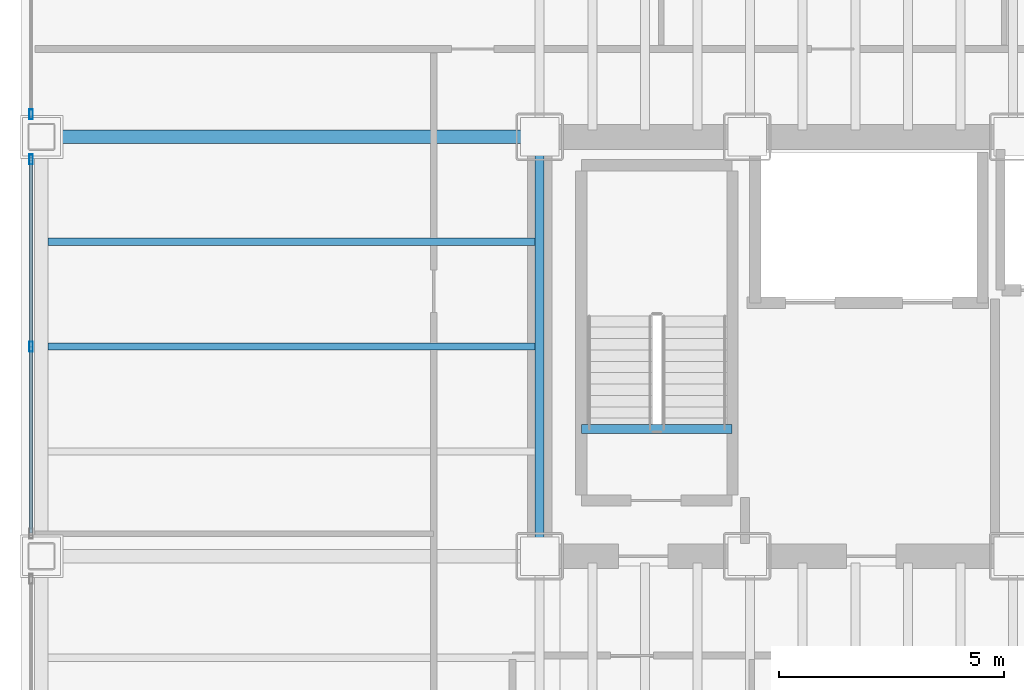
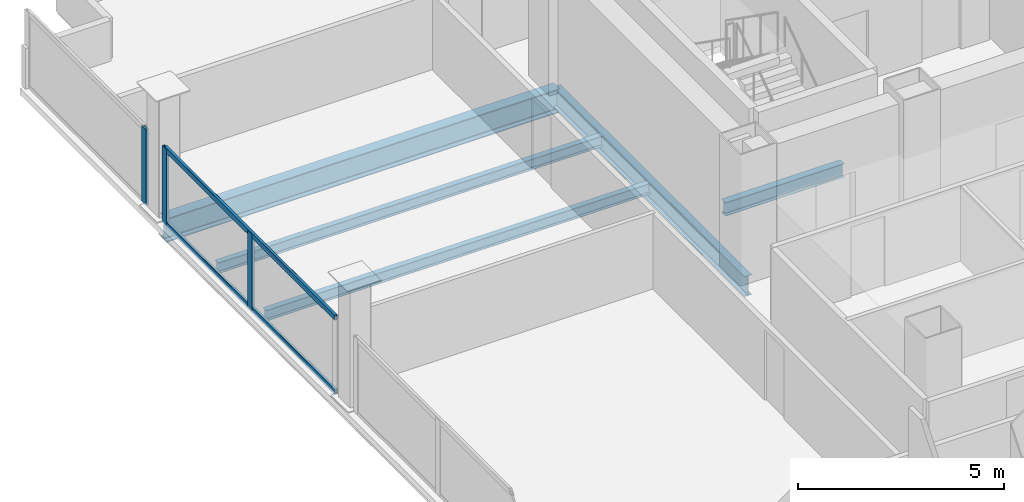
# One storey, part 6 of 21: 5 beams, 5 members, 2 elements without a shape of their own.
"""IFC4 building model written with IfcOpenShell, lengths in metres."""

from ifc_helpers import new_model, si_unit, direction, frame, origin, origin_2d, place, context, subcontext, project, spatial, hollow_rectangle, i_section, extrude, material, material_profile, profile_set, type_object, element, aggregate, save


model = new_model("IFC4")

# Units and contexts
model_context = context("Model", 3, precision=1e-05, world=origin(), true_north=direction((0.0, 1.0)))
body_context = subcontext(model_context, "Body", "Model", "MODEL_VIEW")
ifc_project = project(units=[si_unit("LENGTHUNIT", "METRE"), si_unit("AREAUNIT", "SQUARE_METRE"), si_unit("VOLUMEUNIT", "CUBIC_METRE"), si_unit("PLANEANGLEUNIT", "RADIAN"), si_unit("MASSUNIT", "GRAM", prefix="KILO")], contexts=[model_context])

# Site, building, storey
site_placement = place(None, origin())
site = spatial("IfcSite", under=ifc_project, at=site_placement, CompositionType="ELEMENT")
building_placement = place(site_placement, origin())
building = spatial("IfcBuilding", under=site, at=building_placement, Name="Noeulbin Bourse Tower", CompositionType="ELEMENT")
storey_placement = place(building_placement, frame((0.0, 0.0, 49.89990234375)))
storey = spatial("IfcBuildingStorey", under=building, at=storey_placement, Name="L12", CompositionType="ELEMENT", Elevation=49.89990234375)

# Beams
ifc_material_1 = material(Name="Steel S355", Category="steel")
ifc_material_profile_1 = material_profile(ifc_material_1, i_section(OverallWidth=0.199951171875, OverallDepth=0.60009765625, WebThickness=0.010986328125, FlangeThickness=0.01708984375, FilletRadius=0.02197265625, at=origin_2d()), Name="H-600x200x11x17", Category="LoadBearing")
ifc_profile_set_1 = profile_set([ifc_material_profile_1], Name="Steel S355")
beam_type_1 = type_object("IfcBeamType", Name="BM-GRD-600", PredefinedType="USERDEFINED", material=ifc_profile_set_1)
beam_1_placement = place(storey_placement, frame((13.5, 29.0, -0.47998046875), z_axis=(0.0, 1.0, 0.0), x_axis=(-1.0, 0.0, 0.0)))
element("IfcBeam", 1, at=beam_1_placement, inside=storey, type_object=beam_type_1, Name="Tower Primary Girder NS L12-1.3", ObjectType="GIRDER", PredefinedType="USERDEFINED", context=body_context, shape_type="SweptSolid", body=[
    extrude(i_section(OverallWidth=0.199951171875, OverallDepth=0.60009765625, WebThickness=0.010986328125, FlangeThickness=0.01708984375, FilletRadius=0.02197265625, at=origin_2d()), origin(), (0.0, 0.0, 1.0), 9.300048828125),
])
ifc_material_profile_2 = material_profile(ifc_material_1, i_section(OverallWidth=0.300048828125, OverallDepth=0.699951171875, WebThickness=0.012939453125, FlangeThickness=0.02392578125, FilletRadius=0.02392578125, at=origin_2d()), Name="H-700x300x13x24", Category="LoadBearing")
ifc_profile_set_2 = profile_set([ifc_material_profile_2], Name="Steel S355")
beam_type_2 = type_object("IfcBeamType", Name="BM-GRD-700", PredefinedType="USERDEFINED", material=ifc_profile_set_2)
beam_2_placement = place(storey_placement, frame((2.449951171875, 38.300048828125, -0.52978515625), z_axis=(1.0, 0.0, 0.0), x_axis=(0.0, 1.0, 0.0)))
element("IfcBeam", 2, at=beam_2_placement, inside=storey, type_object=beam_type_2, Name="Tower Primary Girder EW L12-3.1", ObjectType="GIRDER", PredefinedType="USERDEFINED", context=body_context, shape_type="SweptSolid", body=[
    extrude(i_section(OverallWidth=0.300048828125, OverallDepth=0.699951171875, WebThickness=0.012939453125, FlangeThickness=0.02392578125, FilletRadius=0.02392578125, at=origin_2d()), origin(), (0.0, 0.0, 1.0), 11.050048828125),
])
ifc_material_profile_3 = material_profile(ifc_material_1, i_section(OverallWidth=0.159912109375, OverallDepth=0.320068359375, WebThickness=0.006591796875, FlangeThickness=0.010009765625, FilletRadius=0.012939453125, at=origin_2d()), Name="H-320x160x6.5x10", Category="LoadBearing")
ifc_profile_set_3 = profile_set([ifc_material_profile_3], Name="Steel S355")
beam_type_3 = type_object("IfcBeamType", Name="BM-JST-320", PredefinedType="JOIST", material=ifc_profile_set_3)
for number, where, z_axis, x_axis, name in (
    (3, (2.60009765625, 33.64990234375, -0.33984375), (1.0, 0.0, 0.0), (0.0, 1.0, 0.0), "Wing Composite Joist L12-W74"),
    (4, (2.60009765625, 35.97509765625, -0.33984375), (1.0, 0.0, 0.0), (0.0, 1.0, 0.0), "Wing Composite Joist L12-W75"),
):
    element("IfcBeam", number, at=place(storey_placement, frame(where, z_axis=z_axis, x_axis=x_axis)), inside=storey, type_object=beam_type_3, Name=name, PredefinedType="JOIST", context=body_context, shape_type="SweptSolid", body=[
        extrude(i_section(OverallWidth=0.159912109375, OverallDepth=0.320068359375, WebThickness=0.006591796875, FlangeThickness=0.010009765625, FilletRadius=0.012939453125, at=origin_2d()), origin(), (0.0, 0.0, 1.0), 10.7998046875),
    ])
ifc_material_profile_4 = material_profile(ifc_material_1, i_section(OverallWidth=0.199951171875, OverallDepth=0.39990234375, WebThickness=0.008056640625, FlangeThickness=0.012939453125, FilletRadius=0.01611328125, at=origin_2d()), Name="H-400x200x8x13", Category="LoadBearing")
ifc_profile_set_4 = profile_set([ifc_material_profile_4], Name="Steel S355")
beam_type_4 = type_object("IfcBeamType", Name="BM-SEC-400", PredefinedType="BEAM", material=ifc_profile_set_4)
beam_3_placement = place(storey_placement, frame((14.429931640625, 31.820068359375, -0.199951171875), z_axis=(1.0, 0.0, 0.0), x_axis=(0.0, 1.0, 0.0)))
element("IfcBeam", 5, at=beam_3_placement, inside=storey, type_object=beam_type_4, Name="Stair Threshold Trimmer Beam ST1-L12", PredefinedType="BEAM", context=body_context, shape_type="SweptSolid", body=[
    extrude(i_section(OverallWidth=0.199951171875, OverallDepth=0.39990234375, WebThickness=0.008056640625, FlangeThickness=0.012939453125, FilletRadius=0.01611328125, at=origin_2d()), origin(), (0.0, 0.0, 1.0), 3.340087890625),
])

# Curtain wall, members
ifc_material_2 = material(Name="Dark Solar-Control Double Glazing", Category="glass")
curtain_wall_type = type_object("IfcCurtainWallType", Name="CW-SYS-2", PredefinedType="NOTDEFINED", material=ifc_material_2)
curtain_wall_1_placement = place(storey_placement, origin())
curtain_wall_1 = element("IfcCurtainWall", 6, at=curtain_wall_1_placement, inside=storey, type_object=curtain_wall_type, Name="Unitised Curtain Wall CW-L12-W-S3", PredefinedType="NOTDEFINED")
ifc_material_3 = material(Name="Anodised Aluminium 6063-T6", Category="aluminium")
ifc_material_profile_5 = material_profile(ifc_material_3, hollow_rectangle(XDim=0.074951171875, YDim=0.219970703125, WallThickness=0.0048828125, InnerFilletRadius=0.00244140625, OuterFilletRadius=0.0048828125, at=origin_2d()), Name="ALU-MULL-75x220x5", Category="LoadBearing")
ifc_profile_set_5 = profile_set([ifc_material_profile_5], Name="Anodised Aluminium 6063-T6")
member_type_1 = type_object("IfcMemberType", Name="CW-SYS-2-MUL", PredefinedType="MULLION", material=ifc_profile_set_5)
member_1_placement = place(storey_placement, frame((2.219970703125, 33.64990234375, -0.02001953125), z_axis=(0.0, 0.0, 1.0), x_axis=(1.0, 0.0, 0.0)))
member_1 = element("IfcMember", 7, at=member_1_placement, type_object=member_type_1, Name="Curtain Wall Mullion CW-L12-W-S3-M01", PredefinedType="MULLION", context=body_context, shape_type="SweptSolid", body=[
    extrude(hollow_rectangle(XDim=0.074951171875, YDim=0.219970703125, WallThickness=0.0048828125, InnerFilletRadius=0.00244140625, OuterFilletRadius=0.0048828125, at=origin_2d()), origin(), (0.0, 0.0, 1.0), 2.260009765625),
])
member_2_placement = place(storey_placement, frame((2.219970703125, 37.800048828125, -0.02001953125), z_axis=(0.0, 0.0, 1.0), x_axis=(1.0, 0.0, 0.0)))
member_2 = element("IfcMember", 8, at=member_2_placement, type_object=member_type_1, Name="Curtain Wall Mullion CW-L12-W-S3-M02", PredefinedType="MULLION", context=body_context, shape_type="SweptSolid", body=[
    extrude(hollow_rectangle(XDim=0.074951171875, YDim=0.219970703125, WallThickness=0.0048828125, InnerFilletRadius=0.00244140625, OuterFilletRadius=0.0048828125, at=origin_2d()), origin(), (0.0, 0.0, 1.0), 2.260009765625),
])

# Curtain wall, member
curtain_wall_2_placement = place(storey_placement, origin())
curtain_wall_2 = element("IfcCurtainWall", 9, at=curtain_wall_2_placement, inside=storey, type_object=curtain_wall_type, Name="Unitised Curtain Wall CW-L12-W-S4", PredefinedType="NOTDEFINED")
member_3_placement = place(storey_placement, frame((2.219970703125, 38.800048828125, -0.02001953125), z_axis=(0.0, 0.0, 1.0), x_axis=(1.0, 0.0, 0.0)))
member_3 = element("IfcMember", 10, at=member_3_placement, type_object=member_type_1, Name="Curtain Wall Mullion CW-L12-W-S4-M00", PredefinedType="MULLION", context=body_context, shape_type="SweptSolid", body=[
    extrude(hollow_rectangle(XDim=0.074951171875, YDim=0.219970703125, WallThickness=0.0048828125, InnerFilletRadius=0.00244140625, OuterFilletRadius=0.0048828125, at=origin_2d()), origin(), (0.0, 0.0, 1.0), 2.260009765625),
])
aggregate(curtain_wall_2, [member_3])

# Member
ifc_material_profile_6 = material_profile(ifc_material_3, hollow_rectangle(XDim=0.074951171875, YDim=0.159912109375, WallThickness=0.0048828125, InnerFilletRadius=0.00244140625, OuterFilletRadius=0.0048828125, at=origin_2d()), Name="ALU-TRAN-75x160x5", Category="LoadBearing")
ifc_profile_set_6 = profile_set([ifc_material_profile_6], Name="Anodised Aluminium 6063-T6")
member_type_2 = type_object("IfcMemberType", Name="CW-SYS-2-TRN", PredefinedType="USERDEFINED", material=ifc_profile_set_6)
member_4_placement = place(storey_placement, frame((2.219970703125, 29.510009765625, 0.010009765625), z_axis=(0.0, 1.0, 0.0), x_axis=(-1.0, 0.0, 0.0)))
member_4 = element("IfcMember", 11, at=member_4_placement, type_object=member_type_2, Name="Curtain Wall Transom CW-L12-W-S3-T00", ObjectType="TRANSOM", PredefinedType="USERDEFINED", context=body_context, shape_type="SweptSolid", body=[
    extrude(hollow_rectangle(XDim=0.074951171875, YDim=0.159912109375, WallThickness=0.0048828125, InnerFilletRadius=0.00244140625, OuterFilletRadius=0.0048828125, at=origin_2d()), origin(), (0.0, 0.0, 1.0), 8.280029296875),
])

member_5_placement = place(storey_placement, frame((2.219970703125, 29.510009765625, 2.210205078125), z_axis=(0.0, 1.0, 0.0), x_axis=(-1.0, 0.0, 0.0)))
member_5 = element("IfcMember", 12, at=member_5_placement, type_object=member_type_2, Name="Curtain Wall Transom CW-L12-W-S3-T01", ObjectType="TRANSOM", PredefinedType="USERDEFINED", context=body_context, shape_type="SweptSolid", body=[
    extrude(hollow_rectangle(XDim=0.074951171875, YDim=0.159912109375, WallThickness=0.0048828125, InnerFilletRadius=0.00244140625, OuterFilletRadius=0.0048828125, at=origin_2d()), origin(), (0.0, 0.0, 1.0), 8.280029296875),
])

aggregate(curtain_wall_1, [member_1, member_2, member_4, member_5])

save(model, "model.ifc")
